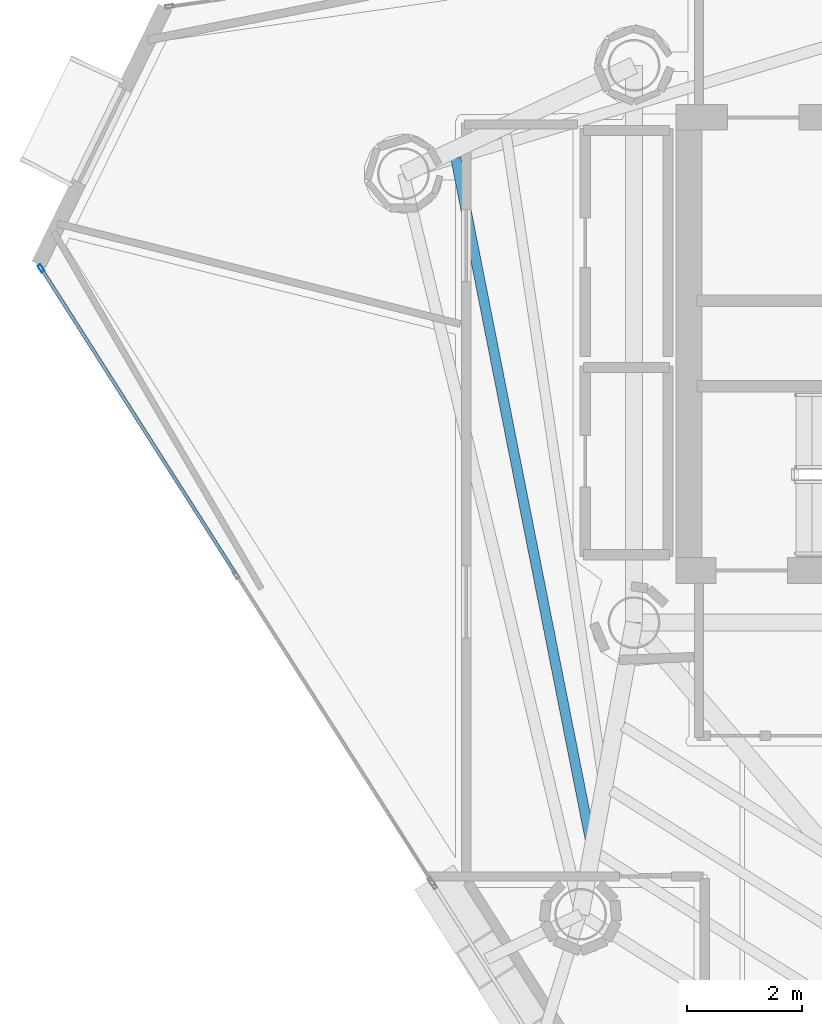
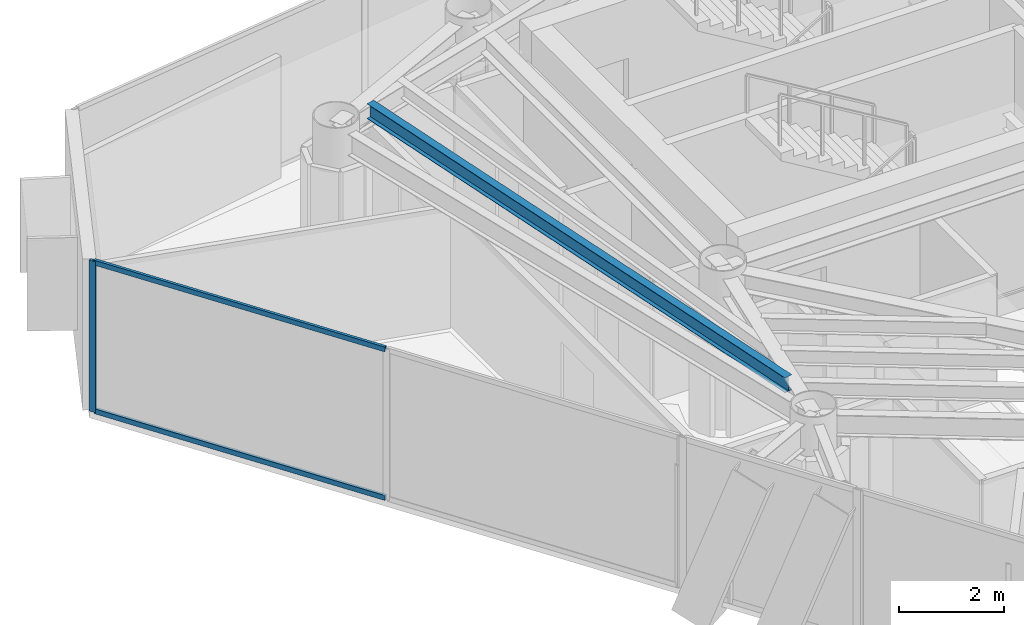
# One storey, part 9 of 25: 3 members, 1 beam, 1 element without a shape of its own.
"""IFC4 building model written with IfcOpenShell, lengths in metres."""

from ifc_helpers import new_model, si_unit, direction, frame, origin, origin_2d, place, context, subcontext, project, spatial, hollow_rectangle, i_section, extrude, material, layer, layer_set, material_profile, profile_set, type_object, element, aggregate, save


model = new_model("IFC4")

# Units and contexts
model_context = context("Model", 3, precision=1e-05, world=origin(), true_north=direction((0.0, 1.0)))
body_context = subcontext(model_context, "Body", "Model", "MODEL_VIEW")
ifc_project = project(units=[si_unit("LENGTHUNIT", "METRE"), si_unit("AREAUNIT", "SQUARE_METRE"), si_unit("VOLUMEUNIT", "CUBIC_METRE"), si_unit("PLANEANGLEUNIT", "RADIAN"), si_unit("MASSUNIT", "GRAM", prefix="KILO")], contexts=[model_context])

# Site, building, storey
site_placement = place(None, origin())
site = spatial("IfcSite", under=ifc_project, at=site_placement, CompositionType="ELEMENT")
building_placement = place(site_placement, origin())
building = spatial("IfcBuilding", under=site, at=building_placement, Name="Qianvela Tower", CompositionType="ELEMENT")
storey_placement = place(building_placement, frame((0.0, 0.0, 291.699951171875)))
storey = spatial("IfcBuildingStorey", under=building, at=storey_placement, Name="L75", CompositionType="ELEMENT", Elevation=291.699951171875)

# Beam
ifc_material_1 = material(Name="Steel Q355B", Category="steel")
ifc_material_profile_1 = material_profile(ifc_material_1, i_section(OverallWidth=0.175048828125, OverallDepth=0.35009765625, WebThickness=0.007080078125, FlangeThickness=0.010986328125, at=origin_2d()), Name="HN350x175x7x11")
ifc_profile_set_1 = profile_set([ifc_material_profile_1], Name="Steel Q355B")
beam_type = type_object("IfcBeamType", Name="BM-HN350-JOIST", PredefinedType="JOIST", material=ifc_profile_set_1)
beam_placement = place(storey_placement, frame((25.498046875, 31.934814453125, 3.343017578125), z_axis=(0.193576445355, -0.981085194977, 0.0), x_axis=(0.981085194977, 0.193576445355, 0.0)))
element("IfcBeam", 1, at=beam_placement, inside=storey, type_object=beam_type, Name="L75 Secondary Composite Floor Joist 3.3", PredefinedType="JOIST", context=body_context, shape_type="SweptSolid", body=[
    extrude(i_section(OverallWidth=0.175048828125, OverallDepth=0.35009765625, WebThickness=0.007080078125, FlangeThickness=0.010986328125, at=origin_2d()), origin(), (0.0, 0.0, 1.0), 12.13037109375),
])

# Curtain wall, members
ifc_material_2 = material(Name="Anodised Architectural Aluminium and Low-E Glass", Category="aluminium")
ifc_layer = layer(ifc_material_2, 0.14990234375)
ifc_layer_set = layer_set([ifc_layer], Name="Anodised Architectural Aluminium and Low-E Glass")
curtain_wall_type = type_object("IfcCurtainWallType", Name="CW-COLIV-Z78", PredefinedType="USERDEFINED", material=ifc_layer_set)
curtain_wall_placement = place(storey_placement, origin())
curtain_wall = element("IfcCurtainWall", 2, at=curtain_wall_placement, inside=storey, type_object=curtain_wall_type, Name="L75 CW-COLIV-Z78 Curtain Wall 04A", ObjectType="CURTAIN_WALL_SYSTEM", PredefinedType="USERDEFINED")
ifc_material_3 = material(Name="Anodised Architectural Aluminium 6063-T6", Category="aluminium")
ifc_material_profile_2 = material_profile(ifc_material_3, hollow_rectangle(XDim=0.06005859375, YDim=0.139892578125, WallThickness=0.00439453125, at=origin_2d()), Name="ALU-MULL-60x140")
ifc_profile_set_2 = profile_set([ifc_material_profile_2], Name="Anodised Architectural Aluminium 6063-T6")
member_type_1 = type_object("IfcMemberType", Name="CW-COLIV-Z78-MULL", PredefinedType="MULLION", material=ifc_profile_set_2)
member_1_placement = place(storey_placement, frame((18.28125, 30.015869140625, 0.0), z_axis=(0.0, 0.0, 1.0), x_axis=(0.8435804858, 0.537002759749, 0.0)))
member_1 = element("IfcMember", 3, at=member_1_placement, type_object=member_type_1, Name="CW-6 mullion 1", PredefinedType="MULLION", context=body_context, shape_type="SweptSolid", body=[
    extrude(hollow_rectangle(XDim=0.06005859375, YDim=0.139892578125, WallThickness=0.00439453125, at=origin_2d()), origin(), (0.0, 0.0, 1.0), 3.52001953125),
])
ifc_material_4 = material(Name="Anodised Architectural Aluminium 6063-T6", Category="aluminium")
ifc_material_profile_3 = material_profile(ifc_material_4, hollow_rectangle(XDim=0.06005859375, YDim=0.114990234375, WallThickness=0.00390625, at=origin_2d()), Name="ALU-TRAN-60x115")
ifc_profile_set_3 = profile_set([ifc_material_profile_3], Name="Anodised Architectural Aluminium 6063-T6")
member_type_2 = type_object("IfcMemberType", Name="CW-COLIV-Z78-TRAN", PredefinedType="USERDEFINED", material=ifc_profile_set_3)
member_2_placement = place(storey_placement, frame((18.29736328125, 29.990478515625, 0.030029296875), z_axis=(0.537004086354, -0.843579641314, 0.0), x_axis=(0.843579641314, 0.537004086354, 0.0)))
member_2 = element("IfcMember", 4, at=member_2_placement, type_object=member_type_2, Name="CW-6 transom 1.1", ObjectType="TRANSOM", PredefinedType="USERDEFINED", context=body_context, shape_type="SweptSolid", body=[
    extrude(hollow_rectangle(XDim=0.06005859375, YDim=0.114990234375, WallThickness=0.00390625, at=origin_2d()), origin(), (0.0, 0.0, 1.0), 6.264892578125),
])
member_3_placement = place(storey_placement, frame((18.29736328125, 29.990478515625, 3.489990234375), z_axis=(0.537004086354, -0.843579641314, 0.0), x_axis=(0.843579641314, 0.537004086354, 0.0)))
member_3 = element("IfcMember", 5, at=member_3_placement, type_object=member_type_2, Name="CW-6 transom 1.2", ObjectType="TRANSOM", PredefinedType="USERDEFINED", context=body_context, shape_type="SweptSolid", body=[
    extrude(hollow_rectangle(XDim=0.06005859375, YDim=0.114990234375, WallThickness=0.00390625, at=origin_2d()), origin(), (0.0, 0.0, 1.0), 6.264892578125),
])
aggregate(curtain_wall, [member_1, member_2, member_3])

save(model, "model.ifc")
